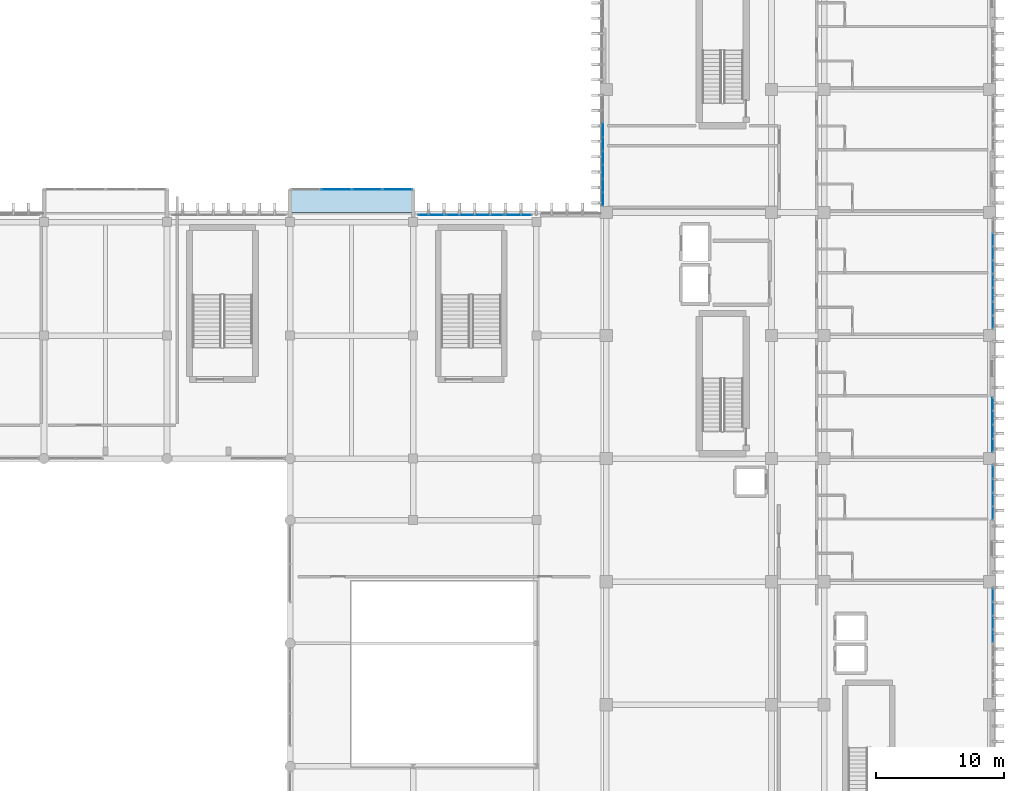
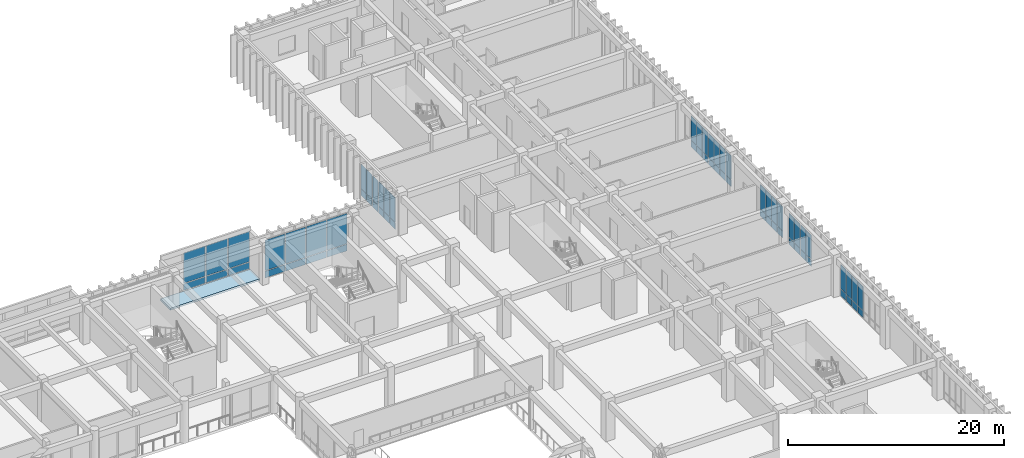
# One storey, part 96 of 133: 64 plates, 1 slab, 9 elements without a shape of their own.
"""IFC4 building model written with IfcOpenShell, lengths in metres."""

from ifc_helpers import new_model, si_unit, direction, frame, origin, origin_2d, place, context, subcontext, project, spatial, polyline, rectangle, outline, extrude, material, layer, layer_set, type_object, element, aggregate, save


model = new_model("IFC4")

# Units and contexts
model_context = context("Model", 3, precision=1e-05, world=origin(), true_north=direction((0.0, 1.0)))
body_context = subcontext(model_context, "Body", "Model", "MODEL_VIEW")
ifc_project = project(units=[si_unit("LENGTHUNIT", "METRE"), si_unit("AREAUNIT", "SQUARE_METRE"), si_unit("VOLUMEUNIT", "CUBIC_METRE"), si_unit("PLANEANGLEUNIT", "RADIAN"), si_unit("MASSUNIT", "GRAM", prefix="KILO")], contexts=[model_context])

# Site, building, storey
site_placement = place(None, origin())
site = spatial("IfcSite", under=ifc_project, at=site_placement, CompositionType="ELEMENT")
building_placement = place(site_placement, origin())
building = spatial("IfcBuilding", under=site, at=building_placement, Name="Nakhvara Creek Congress Hotel", CompositionType="ELEMENT")
storey_placement = place(building_placement, frame((0.0, 0.0, 11.39990234375)))
storey = spatial("IfcBuildingStorey", under=building, at=storey_placement, Name="L02", CompositionType="ELEMENT", Elevation=11.39990234375)

# Curtain wall, plates
ifc_material_1 = material(Name="Bronze-anodised aluminium AW-6063-T6 and double-silver low-E glass", Category="aluminium")
ifc_layer_1 = layer(ifc_material_1, 0.199951171875)
ifc_layer_set_1 = layer_set([ifc_layer_1], Name="Bronze-anodised aluminium AW-6063-T6 and double-silver low-E glass")
curtain_wall_type_1 = type_object("IfcCurtainWallType", Name="CW-HTL-UNIT", PredefinedType="USERDEFINED", material=ifc_layer_set_1)
curtain_wall_1_placement = place(storey_placement, origin())
curtain_wall_1 = element("IfcCurtainWall", 1, at=curtain_wall_1_placement, inside=storey, type_object=curtain_wall_type_1, Name="Curtain Wall CW137", ObjectType="UNITISED", PredefinedType="USERDEFINED")
ifc_material_2 = material(Name="Double-silver solar-control low-E insulated glass", Category="glass")
plate_type_1 = type_object("IfcPlateType", Name="PNL-GLZ-120X250", PredefinedType="CURTAIN_PANEL", material=ifc_material_2)
plate_1_placement = place(storey_placement, frame((179.60009765625, 66.155029296875, 0.065185546875), z_axis=(0.0, 0.0, 1.0), x_axis=(0.0, -1.0, 0.0)))
plate_1 = element("IfcPlate", 2, at=plate_1_placement, type_object=plate_type_1, Name="CW137 panel 1.1", PredefinedType="CURTAIN_PANEL", context=body_context, shape_type="SweptSolid", body=[
    extrude(rectangle(XDim=0.97998046875, YDim=0.028076171875, at=origin_2d()), origin(), (0.0, 0.0, 1.0), 0.75244140625),
])
plate_2_placement = place(storey_placement, frame((179.60009765625, 66.155029296875, 0.88232421875), z_axis=(0.0, 0.0, 1.0), x_axis=(0.0, -1.0, 0.0)))
plate_2 = element("IfcPlate", 3, at=plate_2_placement, type_object=plate_type_1, Name="CW137 panel 1.2", PredefinedType="CURTAIN_PANEL", context=body_context, shape_type="SweptSolid", body=[
    extrude(rectangle(XDim=0.97998046875, YDim=0.028076171875, at=origin_2d()), origin(), (0.0, 0.0, 1.0), 2.714599609375),
])
plate_3_placement = place(storey_placement, frame((179.60009765625, 65.09375, 0.065185546875), z_axis=(0.0, 0.0, 1.0), x_axis=(0.0, -1.0, 0.0)))
plate_3 = element("IfcPlate", 4, at=plate_3_placement, type_object=plate_type_1, Name="CW137 panel 2.1", PredefinedType="CURTAIN_PANEL", context=body_context, shape_type="SweptSolid", body=[
    extrude(rectangle(XDim=1.012451171875, YDim=0.028076171875, at=origin_2d()), origin(), (0.0, 0.0, 1.0), 0.75244140625),
])
plate_4_placement = place(storey_placement, frame((179.60009765625, 65.09375, 0.88232421875), z_axis=(0.0, 0.0, 1.0), x_axis=(0.0, -1.0, 0.0)))
plate_4 = element("IfcPlate", 5, at=plate_4_placement, type_object=plate_type_1, Name="CW137 panel 2.2", PredefinedType="CURTAIN_PANEL", context=body_context, shape_type="SweptSolid", body=[
    extrude(rectangle(XDim=1.012451171875, YDim=0.028076171875, at=origin_2d()), origin(), (0.0, 0.0, 1.0), 2.714599609375),
])
plate_5_placement = place(storey_placement, frame((179.60009765625, 64.016357421875, 0.065185546875), z_axis=(0.0, 0.0, 1.0), x_axis=(0.0, -1.0, 0.0)))
plate_5 = element("IfcPlate", 6, at=plate_5_placement, type_object=plate_type_1, Name="CW137 panel 3.1", PredefinedType="CURTAIN_PANEL", context=body_context, shape_type="SweptSolid", body=[
    extrude(rectangle(XDim=1.012451171875, YDim=0.028076171875, at=origin_2d()), origin(), (0.0, 0.0, 1.0), 0.75244140625),
])
plate_6_placement = place(storey_placement, frame((179.60009765625, 64.016357421875, 0.88232421875), z_axis=(0.0, 0.0, 1.0), x_axis=(0.0, -1.0, 0.0)))
plate_6 = element("IfcPlate", 7, at=plate_6_placement, type_object=plate_type_1, Name="CW137 panel 3.2", PredefinedType="CURTAIN_PANEL", context=body_context, shape_type="SweptSolid", body=[
    extrude(rectangle(XDim=1.012451171875, YDim=0.028076171875, at=origin_2d()), origin(), (0.0, 0.0, 1.0), 2.714599609375),
])
plate_7_placement = place(storey_placement, frame((179.60009765625, 62.955078125, 0.065185546875), z_axis=(0.0, 0.0, 1.0), x_axis=(0.0, -1.0, 0.0)))
plate_7 = element("IfcPlate", 8, at=plate_7_placement, type_object=plate_type_1, Name="CW137 panel 4.1", PredefinedType="CURTAIN_PANEL", context=body_context, shape_type="SweptSolid", body=[
    extrude(rectangle(XDim=0.97998046875, YDim=0.028076171875, at=origin_2d()), origin(), (0.0, 0.0, 1.0), 0.75244140625),
])
plate_8_placement = place(storey_placement, frame((179.60009765625, 62.955078125, 0.88232421875), z_axis=(0.0, 0.0, 1.0), x_axis=(0.0, -1.0, 0.0)))
plate_8 = element("IfcPlate", 9, at=plate_8_placement, type_object=plate_type_1, Name="CW137 panel 4.2", PredefinedType="CURTAIN_PANEL", context=body_context, shape_type="SweptSolid", body=[
    extrude(rectangle(XDim=0.97998046875, YDim=0.028076171875, at=origin_2d()), origin(), (0.0, 0.0, 1.0), 2.714599609375),
])
aggregate(curtain_wall_1, [plate_1, plate_2, plate_3, plate_4, plate_5, plate_6, plate_7, plate_8])

curtain_wall_2_placement = place(storey_placement, origin())
curtain_wall_2 = element("IfcCurtainWall", 10, at=curtain_wall_2_placement, inside=storey, type_object=curtain_wall_type_1, Name="Curtain Wall CW138", ObjectType="UNITISED", PredefinedType="USERDEFINED")
plate_9_placement = place(storey_placement, frame((179.60009765625, 75.7548828125, 0.065185546875), z_axis=(0.0, 0.0, 1.0), x_axis=(0.0, -1.0, 0.0)))
plate_9 = element("IfcPlate", 11, at=plate_9_placement, type_object=plate_type_1, Name="CW138 panel 1.1", PredefinedType="CURTAIN_PANEL", context=body_context, shape_type="SweptSolid", body=[
    extrude(rectangle(XDim=0.97998046875, YDim=0.028076171875, at=origin_2d()), origin(), (0.0, 0.0, 1.0), 0.75244140625),
])
plate_10_placement = place(storey_placement, frame((179.60009765625, 75.7548828125, 0.88232421875), z_axis=(0.0, 0.0, 1.0), x_axis=(0.0, -1.0, 0.0)))
plate_10 = element("IfcPlate", 12, at=plate_10_placement, type_object=plate_type_1, Name="CW138 panel 1.2", PredefinedType="CURTAIN_PANEL", context=body_context, shape_type="SweptSolid", body=[
    extrude(rectangle(XDim=0.97998046875, YDim=0.028076171875, at=origin_2d()), origin(), (0.0, 0.0, 1.0), 2.714599609375),
])
plate_11_placement = place(storey_placement, frame((179.60009765625, 74.69384765625, 0.065185546875), z_axis=(0.0, 0.0, 1.0), x_axis=(0.0, -1.0, 0.0)))
plate_11 = element("IfcPlate", 13, at=plate_11_placement, type_object=plate_type_1, Name="CW138 panel 2.1", PredefinedType="CURTAIN_PANEL", context=body_context, shape_type="SweptSolid", body=[
    extrude(rectangle(XDim=1.012451171875, YDim=0.028076171875, at=origin_2d()), origin(), (0.0, 0.0, 1.0), 0.75244140625),
])
plate_12_placement = place(storey_placement, frame((179.60009765625, 74.69384765625, 0.88232421875), z_axis=(0.0, 0.0, 1.0), x_axis=(0.0, -1.0, 0.0)))
plate_12 = element("IfcPlate", 14, at=plate_12_placement, type_object=plate_type_1, Name="CW138 panel 2.2", PredefinedType="CURTAIN_PANEL", context=body_context, shape_type="SweptSolid", body=[
    extrude(rectangle(XDim=1.012451171875, YDim=0.028076171875, at=origin_2d()), origin(), (0.0, 0.0, 1.0), 2.714599609375),
])
plate_13_placement = place(storey_placement, frame((179.60009765625, 73.6162109375, 0.065185546875), z_axis=(0.0, 0.0, 1.0), x_axis=(0.0, -1.0, 0.0)))
plate_13 = element("IfcPlate", 15, at=plate_13_placement, type_object=plate_type_1, Name="CW138 panel 3.1", PredefinedType="CURTAIN_PANEL", context=body_context, shape_type="SweptSolid", body=[
    extrude(rectangle(XDim=1.012451171875, YDim=0.028076171875, at=origin_2d()), origin(), (0.0, 0.0, 1.0), 0.75244140625),
])
plate_14_placement = place(storey_placement, frame((179.60009765625, 73.6162109375, 0.88232421875), z_axis=(0.0, 0.0, 1.0), x_axis=(0.0, -1.0, 0.0)))
plate_14 = element("IfcPlate", 16, at=plate_14_placement, type_object=plate_type_1, Name="CW138 panel 3.2", PredefinedType="CURTAIN_PANEL", context=body_context, shape_type="SweptSolid", body=[
    extrude(rectangle(XDim=1.012451171875, YDim=0.028076171875, at=origin_2d()), origin(), (0.0, 0.0, 1.0), 2.714599609375),
])
plate_15_placement = place(storey_placement, frame((179.60009765625, 72.554931640625, 0.065185546875), z_axis=(0.0, 0.0, 1.0), x_axis=(0.0, -1.0, 0.0)))
plate_15 = element("IfcPlate", 17, at=plate_15_placement, type_object=plate_type_1, Name="CW138 panel 4.1", PredefinedType="CURTAIN_PANEL", context=body_context, shape_type="SweptSolid", body=[
    extrude(rectangle(XDim=0.97998046875, YDim=0.028076171875, at=origin_2d()), origin(), (0.0, 0.0, 1.0), 0.75244140625),
])
plate_16_placement = place(storey_placement, frame((179.60009765625, 72.554931640625, 0.88232421875), z_axis=(0.0, 0.0, 1.0), x_axis=(0.0, -1.0, 0.0)))
plate_16 = element("IfcPlate", 18, at=plate_16_placement, type_object=plate_type_1, Name="CW138 panel 4.2", PredefinedType="CURTAIN_PANEL", context=body_context, shape_type="SweptSolid", body=[
    extrude(rectangle(XDim=0.97998046875, YDim=0.028076171875, at=origin_2d()), origin(), (0.0, 0.0, 1.0), 2.714599609375),
])
aggregate(curtain_wall_2, [plate_9, plate_10, plate_11, plate_12, plate_13, plate_14, plate_15, plate_16])

curtain_wall_3_placement = place(storey_placement, origin())
curtain_wall_3 = element("IfcCurtainWall", 19, at=curtain_wall_3_placement, inside=storey, type_object=curtain_wall_type_1, Name="Curtain Wall CW140", ObjectType="UNITISED", PredefinedType="USERDEFINED")
plate_17_placement = place(storey_placement, frame((179.60009765625, 90.64501953125, 0.065185546875), z_axis=(0.0, 0.0, 1.0), x_axis=(0.0, -1.0, 0.0)))
plate_17 = element("IfcPlate", 20, at=plate_17_placement, type_object=plate_type_1, Name="CW140 panel 1.1", PredefinedType="CURTAIN_PANEL", context=body_context, shape_type="SweptSolid", body=[
    extrude(rectangle(XDim=0.97998046875, YDim=0.028076171875, at=origin_2d()), origin(), (0.0, 0.0, 1.0), 0.75244140625),
])
plate_18_placement = place(storey_placement, frame((179.60009765625, 90.64501953125, 0.88232421875), z_axis=(0.0, 0.0, 1.0), x_axis=(0.0, -1.0, 0.0)))
plate_18 = element("IfcPlate", 21, at=plate_18_placement, type_object=plate_type_1, Name="CW140 panel 1.2", PredefinedType="CURTAIN_PANEL", context=body_context, shape_type="SweptSolid", body=[
    extrude(rectangle(XDim=0.97998046875, YDim=0.028076171875, at=origin_2d()), origin(), (0.0, 0.0, 1.0), 2.714599609375),
])
plate_19_placement = place(storey_placement, frame((179.60009765625, 89.583740234375, 0.065185546875), z_axis=(0.0, 0.0, 1.0), x_axis=(0.0, -1.0, 0.0)))
plate_19 = element("IfcPlate", 22, at=plate_19_placement, type_object=plate_type_1, Name="CW140 panel 2.1", PredefinedType="CURTAIN_PANEL", context=body_context, shape_type="SweptSolid", body=[
    extrude(rectangle(XDim=1.012451171875, YDim=0.028076171875, at=origin_2d()), origin(), (0.0, 0.0, 1.0), 0.75244140625),
])
plate_20_placement = place(storey_placement, frame((179.60009765625, 89.583740234375, 0.88232421875), z_axis=(0.0, 0.0, 1.0), x_axis=(0.0, -1.0, 0.0)))
plate_20 = element("IfcPlate", 23, at=plate_20_placement, type_object=plate_type_1, Name="CW140 panel 2.2", PredefinedType="CURTAIN_PANEL", context=body_context, shape_type="SweptSolid", body=[
    extrude(rectangle(XDim=1.012451171875, YDim=0.028076171875, at=origin_2d()), origin(), (0.0, 0.0, 1.0), 2.714599609375),
])
plate_21_placement = place(storey_placement, frame((179.60009765625, 88.50634765625, 0.065185546875), z_axis=(0.0, 0.0, 1.0), x_axis=(0.0, -1.0, 0.0)))
plate_21 = element("IfcPlate", 24, at=plate_21_placement, type_object=plate_type_1, Name="CW140 panel 3.1", PredefinedType="CURTAIN_PANEL", context=body_context, shape_type="SweptSolid", body=[
    extrude(rectangle(XDim=1.012451171875, YDim=0.028076171875, at=origin_2d()), origin(), (0.0, 0.0, 1.0), 0.75244140625),
])
plate_22_placement = place(storey_placement, frame((179.60009765625, 88.50634765625, 0.88232421875), z_axis=(0.0, 0.0, 1.0), x_axis=(0.0, -1.0, 0.0)))
plate_22 = element("IfcPlate", 25, at=plate_22_placement, type_object=plate_type_1, Name="CW140 panel 3.2", PredefinedType="CURTAIN_PANEL", context=body_context, shape_type="SweptSolid", body=[
    extrude(rectangle(XDim=1.012451171875, YDim=0.028076171875, at=origin_2d()), origin(), (0.0, 0.0, 1.0), 2.714599609375),
])
plate_23_placement = place(storey_placement, frame((179.60009765625, 87.445068359375, 0.065185546875), z_axis=(0.0, 0.0, 1.0), x_axis=(0.0, -1.0, 0.0)))
plate_23 = element("IfcPlate", 26, at=plate_23_placement, type_object=plate_type_1, Name="CW140 panel 4.1", PredefinedType="CURTAIN_PANEL", context=body_context, shape_type="SweptSolid", body=[
    extrude(rectangle(XDim=0.97998046875, YDim=0.028076171875, at=origin_2d()), origin(), (0.0, 0.0, 1.0), 0.75244140625),
])
plate_24_placement = place(storey_placement, frame((179.60009765625, 87.445068359375, 0.88232421875), z_axis=(0.0, 0.0, 1.0), x_axis=(0.0, -1.0, 0.0)))
plate_24 = element("IfcPlate", 27, at=plate_24_placement, type_object=plate_type_1, Name="CW140 panel 4.2", PredefinedType="CURTAIN_PANEL", context=body_context, shape_type="SweptSolid", body=[
    extrude(rectangle(XDim=0.97998046875, YDim=0.028076171875, at=origin_2d()), origin(), (0.0, 0.0, 1.0), 2.714599609375),
])
aggregate(curtain_wall_3, [plate_17, plate_18, plate_19, plate_20, plate_21, plate_22, plate_23, plate_24])

curtain_wall_4_placement = place(storey_placement, origin())
curtain_wall_4 = element("IfcCurtainWall", 28, at=curtain_wall_4_placement, inside=storey, type_object=curtain_wall_type_1, Name="Curtain Wall CW141", ObjectType="UNITISED", PredefinedType="USERDEFINED")
plate_25_placement = place(storey_placement, frame((179.60009765625, 93.893798828125, 0.065185546875), z_axis=(0.0, 0.0, 1.0), x_axis=(0.0, -1.0, 0.0)))
plate_25 = element("IfcPlate", 29, at=plate_25_placement, type_object=plate_type_1, Name="CW141 panel 2.1", PredefinedType="CURTAIN_PANEL", context=body_context, shape_type="SweptSolid", body=[
    extrude(rectangle(XDim=1.012451171875, YDim=0.028076171875, at=origin_2d()), origin(), (0.0, 0.0, 1.0), 0.75244140625),
])
plate_26_placement = place(storey_placement, frame((179.60009765625, 93.893798828125, 0.88232421875), z_axis=(0.0, 0.0, 1.0), x_axis=(0.0, -1.0, 0.0)))
plate_26 = element("IfcPlate", 30, at=plate_26_placement, type_object=plate_type_1, Name="CW141 panel 2.2", PredefinedType="CURTAIN_PANEL", context=body_context, shape_type="SweptSolid", body=[
    extrude(rectangle(XDim=1.012451171875, YDim=0.028076171875, at=origin_2d()), origin(), (0.0, 0.0, 1.0), 2.714599609375),
])
plate_27_placement = place(storey_placement, frame((179.60009765625, 92.816162109375, 0.065185546875), z_axis=(0.0, 0.0, 1.0), x_axis=(0.0, -1.0, 0.0)))
plate_27 = element("IfcPlate", 31, at=plate_27_placement, type_object=plate_type_1, Name="CW141 panel 3.1", PredefinedType="CURTAIN_PANEL", context=body_context, shape_type="SweptSolid", body=[
    extrude(rectangle(XDim=1.012451171875, YDim=0.028076171875, at=origin_2d()), origin(), (0.0, 0.0, 1.0), 0.75244140625),
])
plate_28_placement = place(storey_placement, frame((179.60009765625, 92.816162109375, 0.88232421875), z_axis=(0.0, 0.0, 1.0), x_axis=(0.0, -1.0, 0.0)))
plate_28 = element("IfcPlate", 32, at=plate_28_placement, type_object=plate_type_1, Name="CW141 panel 3.2", PredefinedType="CURTAIN_PANEL", context=body_context, shape_type="SweptSolid", body=[
    extrude(rectangle(XDim=1.012451171875, YDim=0.028076171875, at=origin_2d()), origin(), (0.0, 0.0, 1.0), 2.714599609375),
])
plate_29_placement = place(storey_placement, frame((179.60009765625, 91.7548828125, 0.065185546875), z_axis=(0.0, 0.0, 1.0), x_axis=(0.0, -1.0, 0.0)))
plate_29 = element("IfcPlate", 33, at=plate_29_placement, type_object=plate_type_1, Name="CW141 panel 4.1", PredefinedType="CURTAIN_PANEL", context=body_context, shape_type="SweptSolid", body=[
    extrude(rectangle(XDim=0.97998046875, YDim=0.028076171875, at=origin_2d()), origin(), (0.0, 0.0, 1.0), 0.75244140625),
])
plate_30_placement = place(storey_placement, frame((179.60009765625, 91.7548828125, 0.88232421875), z_axis=(0.0, 0.0, 1.0), x_axis=(0.0, -1.0, 0.0)))
plate_30 = element("IfcPlate", 34, at=plate_30_placement, type_object=plate_type_1, Name="CW141 panel 4.2", PredefinedType="CURTAIN_PANEL", context=body_context, shape_type="SweptSolid", body=[
    extrude(rectangle(XDim=0.97998046875, YDim=0.028076171875, at=origin_2d()), origin(), (0.0, 0.0, 1.0), 2.714599609375),
])
aggregate(curtain_wall_4, [plate_25, plate_26, plate_27, plate_28, plate_29, plate_30])

curtain_wall_5_placement = place(storey_placement, origin())
curtain_wall_5 = element("IfcCurtainWall", 35, at=curtain_wall_5_placement, inside=storey, type_object=curtain_wall_type_1, Name="Curtain Wall CW142", ObjectType="UNITISED", PredefinedType="USERDEFINED")
plate_31_placement = place(storey_placement, frame((149.199951171875, 97.044921875, 0.065185546875), z_axis=(0.0, 0.0, 1.0), x_axis=(0.0, 1.0, 0.0)))
plate_31 = element("IfcPlate", 36, at=plate_31_placement, type_object=plate_type_1, Name="CW142 panel 1.1", PredefinedType="CURTAIN_PANEL", context=body_context, shape_type="SweptSolid", body=[
    extrude(rectangle(XDim=0.97998046875, YDim=0.028076171875, at=origin_2d()), origin(), (0.0, 0.0, 1.0), 0.75244140625),
])
plate_32_placement = place(storey_placement, frame((149.199951171875, 97.044921875, 0.8828125), z_axis=(0.0, 0.0, 1.0), x_axis=(0.0, 1.0, 0.0)))
plate_32 = element("IfcPlate", 37, at=plate_32_placement, type_object=plate_type_1, Name="CW142 panel 1.2", PredefinedType="CURTAIN_PANEL", context=body_context, shape_type="SweptSolid", body=[
    extrude(rectangle(XDim=0.97998046875, YDim=0.028076171875, at=origin_2d()), origin(), (0.0, 0.0, 1.0), 2.744384765625),
])
plate_33_placement = place(storey_placement, frame((149.199951171875, 98.106201171875, 0.065185546875), z_axis=(0.0, 0.0, 1.0), x_axis=(0.0, 1.0, 0.0)))
plate_33 = element("IfcPlate", 38, at=plate_33_placement, type_object=plate_type_1, Name="CW142 panel 2.1", PredefinedType="CURTAIN_PANEL", context=body_context, shape_type="SweptSolid", body=[
    extrude(rectangle(XDim=1.012451171875, YDim=0.028076171875, at=origin_2d()), origin(), (0.0, 0.0, 1.0), 0.75244140625),
])
plate_34_placement = place(storey_placement, frame((149.199951171875, 98.106201171875, 0.8828125), z_axis=(0.0, 0.0, 1.0), x_axis=(0.0, 1.0, 0.0)))
plate_34 = element("IfcPlate", 39, at=plate_34_placement, type_object=plate_type_1, Name="CW142 panel 2.2", PredefinedType="CURTAIN_PANEL", context=body_context, shape_type="SweptSolid", body=[
    extrude(rectangle(XDim=1.012451171875, YDim=0.028076171875, at=origin_2d()), origin(), (0.0, 0.0, 1.0), 2.744384765625),
])
plate_35_placement = place(storey_placement, frame((149.199951171875, 99.183837890625, 0.065185546875), z_axis=(0.0, 0.0, 1.0), x_axis=(0.0, 1.0, 0.0)))
plate_35 = element("IfcPlate", 40, at=plate_35_placement, type_object=plate_type_1, Name="CW142 panel 3.1", PredefinedType="CURTAIN_PANEL", context=body_context, shape_type="SweptSolid", body=[
    extrude(rectangle(XDim=1.012451171875, YDim=0.028076171875, at=origin_2d()), origin(), (0.0, 0.0, 1.0), 0.75244140625),
])
plate_36_placement = place(storey_placement, frame((149.199951171875, 99.183837890625, 0.8828125), z_axis=(0.0, 0.0, 1.0), x_axis=(0.0, 1.0, 0.0)))
plate_36 = element("IfcPlate", 41, at=plate_36_placement, type_object=plate_type_1, Name="CW142 panel 3.2", PredefinedType="CURTAIN_PANEL", context=body_context, shape_type="SweptSolid", body=[
    extrude(rectangle(XDim=1.012451171875, YDim=0.028076171875, at=origin_2d()), origin(), (0.0, 0.0, 1.0), 2.744384765625),
])
plate_37_placement = place(storey_placement, frame((149.199951171875, 100.2451171875, 0.065185546875), z_axis=(0.0, 0.0, 1.0), x_axis=(0.0, 1.0, 0.0)))
plate_37 = element("IfcPlate", 42, at=plate_37_placement, type_object=plate_type_1, Name="CW142 panel 4.1", PredefinedType="CURTAIN_PANEL", context=body_context, shape_type="SweptSolid", body=[
    extrude(rectangle(XDim=0.97998046875, YDim=0.028076171875, at=origin_2d()), origin(), (0.0, 0.0, 1.0), 0.75244140625),
])
plate_38_placement = place(storey_placement, frame((149.199951171875, 100.2451171875, 0.8828125), z_axis=(0.0, 0.0, 1.0), x_axis=(0.0, 1.0, 0.0)))
plate_38 = element("IfcPlate", 43, at=plate_38_placement, type_object=plate_type_1, Name="CW142 panel 4.2", PredefinedType="CURTAIN_PANEL", context=body_context, shape_type="SweptSolid", body=[
    extrude(rectangle(XDim=0.97998046875, YDim=0.028076171875, at=origin_2d()), origin(), (0.0, 0.0, 1.0), 2.744384765625),
])
aggregate(curtain_wall_5, [plate_31, plate_32, plate_33, plate_34, plate_35, plate_36, plate_37, plate_38])

curtain_wall_6_placement = place(storey_placement, origin())
curtain_wall_6 = element("IfcCurtainWall", 44, at=curtain_wall_6_placement, inside=storey, type_object=curtain_wall_type_1, Name="Curtain Wall CW144", ObjectType="UNITISED", PredefinedType="USERDEFINED")
plate_39_placement = place(storey_placement, frame((149.199951171875, 101.35498046875, 0.065185546875), z_axis=(0.0, 0.0, 1.0), x_axis=(0.0, 1.0, 0.0)))
plate_39 = element("IfcPlate", 45, at=plate_39_placement, type_object=plate_type_1, Name="CW144 panel 1.1", PredefinedType="CURTAIN_PANEL", context=body_context, shape_type="SweptSolid", body=[
    extrude(rectangle(XDim=0.97998046875, YDim=0.028076171875, at=origin_2d()), origin(), (0.0, 0.0, 1.0), 0.75244140625),
])
plate_40_placement = place(storey_placement, frame((149.199951171875, 101.35498046875, 0.8828125), z_axis=(0.0, 0.0, 1.0), x_axis=(0.0, 1.0, 0.0)))
plate_40 = element("IfcPlate", 46, at=plate_40_placement, type_object=plate_type_1, Name="CW144 panel 1.2", PredefinedType="CURTAIN_PANEL", context=body_context, shape_type="SweptSolid", body=[
    extrude(rectangle(XDim=0.97998046875, YDim=0.028076171875, at=origin_2d()), origin(), (0.0, 0.0, 1.0), 2.744384765625),
])
plate_41_placement = place(storey_placement, frame((149.199951171875, 102.416259765625, 0.065185546875), z_axis=(0.0, 0.0, 1.0), x_axis=(0.0, 1.0, 0.0)))
plate_41 = element("IfcPlate", 47, at=plate_41_placement, type_object=plate_type_1, Name="CW144 panel 2.1", PredefinedType="CURTAIN_PANEL", context=body_context, shape_type="SweptSolid", body=[
    extrude(rectangle(XDim=1.012451171875, YDim=0.028076171875, at=origin_2d()), origin(), (0.0, 0.0, 1.0), 0.75244140625),
])
plate_42_placement = place(storey_placement, frame((149.199951171875, 102.416259765625, 0.8828125), z_axis=(0.0, 0.0, 1.0), x_axis=(0.0, 1.0, 0.0)))
plate_42 = element("IfcPlate", 48, at=plate_42_placement, type_object=plate_type_1, Name="CW144 panel 2.2", PredefinedType="CURTAIN_PANEL", context=body_context, shape_type="SweptSolid", body=[
    extrude(rectangle(XDim=1.012451171875, YDim=0.028076171875, at=origin_2d()), origin(), (0.0, 0.0, 1.0), 2.744384765625),
])
aggregate(curtain_wall_6, [plate_39, plate_40, plate_41, plate_42])

ifc_layer_2 = layer(ifc_material_1, 0.219970703125)
ifc_layer_set_2 = layer_set([ifc_layer_2], Name="Bronze-anodised aluminium AW-6063-T6 and double-silver low-E glass")
curtain_wall_type_2 = type_object("IfcCurtainWallType", Name="CW-BOX-PROJ", PredefinedType="USERDEFINED", material=ifc_layer_set_2)
curtain_wall_7_placement = place(storey_placement, origin())
curtain_wall_7 = element("IfcCurtainWall", 49, at=curtain_wall_7_placement, inside=storey, type_object=curtain_wall_type_2, Name="Curtain Wall CW083", ObjectType="UNITISED", PredefinedType="USERDEFINED")
plate_type_2 = type_object("IfcPlateType", Name="PNL-GLZ-240X260", PredefinedType="CURTAIN_PANEL", material=ifc_material_2)
plate_43_placement = place(storey_placement, frame((128.39990234375, 97.800048828125, 0.0751953125), z_axis=(0.0, 0.0, 1.0), x_axis=(1.0, 0.0, 0.0)))
plate_43 = element("IfcPlate", 50, at=plate_43_placement, type_object=plate_type_2, Name="CW083 panel 2.1", PredefinedType="CURTAIN_PANEL", context=body_context, shape_type="SweptSolid", body=[
    extrude(rectangle(XDim=2.320068359375, YDim=0.030029296875, at=origin_2d()), origin(), (0.0, 0.0, 1.0), 0.737548828125),
])
plate_44_placement = place(storey_placement, frame((128.39990234375, 97.800048828125, 0.8876953125), z_axis=(0.0, 0.0, 1.0), x_axis=(1.0, 0.0, 0.0)))
plate_44 = element("IfcPlate", 51, at=plate_44_placement, type_object=plate_type_2, Name="CW083 panel 2.2", PredefinedType="CURTAIN_PANEL", context=body_context, shape_type="SweptSolid", body=[
    extrude(rectangle(XDim=2.320068359375, YDim=0.030029296875, at=origin_2d()), origin(), (0.0, 0.0, 1.0), 3.427490234375),
])
plate_45_placement = place(storey_placement, frame((130.800048828125, 97.800048828125, 0.0751953125), z_axis=(0.0, 0.0, 1.0), x_axis=(1.0, 0.0, 0.0)))
plate_45 = element("IfcPlate", 52, at=plate_45_placement, type_object=plate_type_2, Name="CW083 panel 3.1", PredefinedType="CURTAIN_PANEL", context=body_context, shape_type="SweptSolid", body=[
    extrude(rectangle(XDim=2.320068359375, YDim=0.030029296875, at=origin_2d()), origin(), (0.0, 0.0, 1.0), 0.737548828125),
])
plate_46_placement = place(storey_placement, frame((130.800048828125, 97.800048828125, 0.8876953125), z_axis=(0.0, 0.0, 1.0), x_axis=(1.0, 0.0, 0.0)))
plate_46 = element("IfcPlate", 53, at=plate_46_placement, type_object=plate_type_2, Name="CW083 panel 3.2", PredefinedType="CURTAIN_PANEL", context=body_context, shape_type="SweptSolid", body=[
    extrude(rectangle(XDim=2.320068359375, YDim=0.030029296875, at=origin_2d()), origin(), (0.0, 0.0, 1.0), 3.427490234375),
])
plate_47_placement = place(storey_placement, frame((133.179931640625, 97.800048828125, 0.0751953125), z_axis=(0.0, 0.0, 1.0), x_axis=(1.0, 0.0, 0.0)))
plate_47 = element("IfcPlate", 54, at=plate_47_placement, type_object=plate_type_2, Name="CW083 panel 4.1", PredefinedType="CURTAIN_PANEL", context=body_context, shape_type="SweptSolid", body=[
    extrude(rectangle(XDim=2.280029296875, YDim=0.030029296875, at=origin_2d()), origin(), (0.0, 0.0, 1.0), 0.737548828125),
])
plate_48_placement = place(storey_placement, frame((133.179931640625, 97.800048828125, 0.8876953125), z_axis=(0.0, 0.0, 1.0), x_axis=(1.0, 0.0, 0.0)))
plate_48 = element("IfcPlate", 55, at=plate_48_placement, type_object=plate_type_2, Name="CW083 panel 4.2", PredefinedType="CURTAIN_PANEL", context=body_context, shape_type="SweptSolid", body=[
    extrude(rectangle(XDim=2.280029296875, YDim=0.030029296875, at=origin_2d()), origin(), (0.0, 0.0, 1.0), 3.427490234375),
])
aggregate(curtain_wall_7, [plate_43, plate_44, plate_45, plate_46, plate_47, plate_48])

ifc_layer_3 = layer(ifc_material_1, 0.199951171875)
ifc_layer_set_3 = layer_set([ifc_layer_3], Name="Bronze-anodised aluminium AW-6063-T6 and double-silver low-E glass")
curtain_wall_type_3 = type_object("IfcCurtainWallType", Name="CW-POD-STICK", PredefinedType="NOTDEFINED", material=ifc_layer_set_3)
curtain_wall_8_placement = place(storey_placement, origin())
curtain_wall_8 = element("IfcCurtainWall", 56, at=curtain_wall_8_placement, inside=storey, type_object=curtain_wall_type_3, Name="Curtain Wall CW088", PredefinedType="NOTDEFINED")
plate_49_placement = place(storey_placement, frame((135.889892578125, 95.800048828125, 0.065185546875), z_axis=(0.0, 0.0, 1.0), x_axis=(1.0, 0.0, 0.0)))
plate_49 = element("IfcPlate", 57, at=plate_49_placement, type_object=plate_type_2, Name="CW088 panel 1.1", PredefinedType="CURTAIN_PANEL", context=body_context, shape_type="SweptSolid", body=[
    extrude(rectangle(XDim=2.1201171875, YDim=0.030029296875, at=origin_2d()), origin(), (0.0, 0.0, 1.0), 0.75244140625),
])
plate_50_placement = place(storey_placement, frame((135.889892578125, 95.800048828125, 0.882568359375), z_axis=(0.0, 0.0, 1.0), x_axis=(1.0, 0.0, 0.0)))
plate_50 = element("IfcPlate", 58, at=plate_50_placement, type_object=plate_type_2, Name="CW088 panel 1.2", PredefinedType="CURTAIN_PANEL", context=body_context, shape_type="SweptSolid", body=[
    extrude(rectangle(XDim=2.1201171875, YDim=0.030029296875, at=origin_2d()), origin(), (0.0, 0.0, 1.0), 3.4423828125),
])
plate_51_placement = place(storey_placement, frame((138.09130859375, 95.800048828125, 0.065185546875), z_axis=(0.0, 0.0, 1.0), x_axis=(1.0, 0.0, 0.0)))
plate_51 = element("IfcPlate", 59, at=plate_51_placement, type_object=plate_type_2, Name="CW088 panel 2.1", PredefinedType="CURTAIN_PANEL", context=body_context, shape_type="SweptSolid", body=[
    extrude(rectangle(XDim=2.152587890625, YDim=0.030029296875, at=origin_2d()), origin(), (0.0, 0.0, 1.0), 0.75244140625),
])
plate_52_placement = place(storey_placement, frame((138.09130859375, 95.800048828125, 0.882568359375), z_axis=(0.0, 0.0, 1.0), x_axis=(1.0, 0.0, 0.0)))
plate_52 = element("IfcPlate", 60, at=plate_52_placement, type_object=plate_type_2, Name="CW088 panel 2.2", PredefinedType="CURTAIN_PANEL", context=body_context, shape_type="SweptSolid", body=[
    extrude(rectangle(XDim=2.152587890625, YDim=0.030029296875, at=origin_2d()), origin(), (0.0, 0.0, 1.0), 3.4423828125),
])
plate_53_placement = place(storey_placement, frame((140.308837890625, 95.800048828125, 0.065185546875), z_axis=(0.0, 0.0, 1.0), x_axis=(1.0, 0.0, 0.0)))
plate_53 = element("IfcPlate", 61, at=plate_53_placement, type_object=plate_type_2, Name="CW088 panel 3.1", PredefinedType="CURTAIN_PANEL", context=body_context, shape_type="SweptSolid", body=[
    extrude(rectangle(XDim=2.152587890625, YDim=0.030029296875, at=origin_2d()), origin(), (0.0, 0.0, 1.0), 0.75244140625),
])
plate_54_placement = place(storey_placement, frame((140.308837890625, 95.800048828125, 0.882568359375), z_axis=(0.0, 0.0, 1.0), x_axis=(1.0, 0.0, 0.0)))
plate_54 = element("IfcPlate", 62, at=plate_54_placement, type_object=plate_type_2, Name="CW088 panel 3.2", PredefinedType="CURTAIN_PANEL", context=body_context, shape_type="SweptSolid", body=[
    extrude(rectangle(XDim=2.152587890625, YDim=0.030029296875, at=origin_2d()), origin(), (0.0, 0.0, 1.0), 3.4423828125),
])
plate_55_placement = place(storey_placement, frame((142.510009765625, 95.800048828125, 0.065185546875), z_axis=(0.0, 0.0, 1.0), x_axis=(1.0, 0.0, 0.0)))
plate_55 = element("IfcPlate", 63, at=plate_55_placement, type_object=plate_type_2, Name="CW088 panel 4.1", PredefinedType="CURTAIN_PANEL", context=body_context, shape_type="SweptSolid", body=[
    extrude(rectangle(XDim=2.1201171875, YDim=0.030029296875, at=origin_2d()), origin(), (0.0, 0.0, 1.0), 0.75244140625),
])
plate_56_placement = place(storey_placement, frame((142.510009765625, 95.800048828125, 0.882568359375), z_axis=(0.0, 0.0, 1.0), x_axis=(1.0, 0.0, 0.0)))
plate_56 = element("IfcPlate", 64, at=plate_56_placement, type_object=plate_type_2, Name="CW088 panel 4.2", PredefinedType="CURTAIN_PANEL", context=body_context, shape_type="SweptSolid", body=[
    extrude(rectangle(XDim=2.1201171875, YDim=0.030029296875, at=origin_2d()), origin(), (0.0, 0.0, 1.0), 3.4423828125),
])
aggregate(curtain_wall_8, [plate_49, plate_50, plate_51, plate_52, plate_53, plate_54, plate_55, plate_56])

curtain_wall_9_placement = place(storey_placement, origin())
curtain_wall_9 = element("IfcCurtainWall", 65, at=curtain_wall_9_placement, inside=storey, type_object=curtain_wall_type_1, Name="Curtain Wall CW139", ObjectType="UNITISED", PredefinedType="USERDEFINED")
ifc_material_3 = material(Name="Back-insulated bronze spandrel glass panel", Category="glass")
plate_type_3 = type_object("IfcPlateType", Name="PNL-SPN-120X080", PredefinedType="CURTAIN_PANEL", material=ifc_material_3)
plate_57_placement = place(storey_placement, frame((179.60009765625, 81.044921875, 0.065185546875), z_axis=(0.0, 0.0, 1.0), x_axis=(0.0, -1.0, 0.0)))
plate_57 = element("IfcPlate", 66, at=plate_57_placement, type_object=plate_type_3, Name="CW139 panel 1.1", PredefinedType="CURTAIN_PANEL", context=body_context, shape_type="SweptSolid", body=[
    extrude(rectangle(XDim=0.97998046875, YDim=0.0419921875, at=origin_2d()), origin(), (0.0, 0.0, 1.0), 0.75244140625),
])
plate_58_placement = place(storey_placement, frame((179.60009765625, 81.044921875, 0.88232421875), z_axis=(0.0, 0.0, 1.0), x_axis=(0.0, -1.0, 0.0)))
plate_58 = element("IfcPlate", 67, at=plate_58_placement, type_object=plate_type_3, Name="CW139 panel 1.2", PredefinedType="CURTAIN_PANEL", context=body_context, shape_type="SweptSolid", body=[
    extrude(rectangle(XDim=0.97998046875, YDim=0.0419921875, at=origin_2d()), origin(), (0.0, 0.0, 1.0), 2.714599609375),
])
plate_59_placement = place(storey_placement, frame((179.60009765625, 79.983642578125, 0.065185546875), z_axis=(0.0, 0.0, 1.0), x_axis=(0.0, -1.0, 0.0)))
plate_59 = element("IfcPlate", 68, at=plate_59_placement, type_object=plate_type_3, Name="CW139 panel 2.1", PredefinedType="CURTAIN_PANEL", context=body_context, shape_type="SweptSolid", body=[
    extrude(rectangle(XDim=1.012451171875, YDim=0.0419921875, at=origin_2d()), origin(), (0.0, 0.0, 1.0), 0.75244140625),
])
plate_60_placement = place(storey_placement, frame((179.60009765625, 79.983642578125, 0.88232421875), z_axis=(0.0, 0.0, 1.0), x_axis=(0.0, -1.0, 0.0)))
plate_60 = element("IfcPlate", 69, at=plate_60_placement, type_object=plate_type_3, Name="CW139 panel 2.2", PredefinedType="CURTAIN_PANEL", context=body_context, shape_type="SweptSolid", body=[
    extrude(rectangle(XDim=1.012451171875, YDim=0.0419921875, at=origin_2d()), origin(), (0.0, 0.0, 1.0), 2.714599609375),
])
plate_61_placement = place(storey_placement, frame((179.60009765625, 78.90625, 0.065185546875), z_axis=(0.0, 0.0, 1.0), x_axis=(0.0, -1.0, 0.0)))
plate_61 = element("IfcPlate", 70, at=plate_61_placement, type_object=plate_type_3, Name="CW139 panel 3.1", PredefinedType="CURTAIN_PANEL", context=body_context, shape_type="SweptSolid", body=[
    extrude(rectangle(XDim=1.012451171875, YDim=0.0419921875, at=origin_2d()), origin(), (0.0, 0.0, 1.0), 0.75244140625),
])
plate_62_placement = place(storey_placement, frame((179.60009765625, 78.90625, 0.88232421875), z_axis=(0.0, 0.0, 1.0), x_axis=(0.0, -1.0, 0.0)))
plate_62 = element("IfcPlate", 71, at=plate_62_placement, type_object=plate_type_3, Name="CW139 panel 3.2", PredefinedType="CURTAIN_PANEL", context=body_context, shape_type="SweptSolid", body=[
    extrude(rectangle(XDim=1.012451171875, YDim=0.0419921875, at=origin_2d()), origin(), (0.0, 0.0, 1.0), 2.714599609375),
])
plate_63_placement = place(storey_placement, frame((179.60009765625, 77.844970703125, 0.065185546875), z_axis=(0.0, 0.0, 1.0), x_axis=(0.0, -1.0, 0.0)))
plate_63 = element("IfcPlate", 72, at=plate_63_placement, type_object=plate_type_3, Name="CW139 panel 4.1", PredefinedType="CURTAIN_PANEL", context=body_context, shape_type="SweptSolid", body=[
    extrude(rectangle(XDim=0.97998046875, YDim=0.0419921875, at=origin_2d()), origin(), (0.0, 0.0, 1.0), 0.75244140625),
])
plate_64_placement = place(storey_placement, frame((179.60009765625, 77.844970703125, 0.88232421875), z_axis=(0.0, 0.0, 1.0), x_axis=(0.0, -1.0, 0.0)))
plate_64 = element("IfcPlate", 73, at=plate_64_placement, type_object=plate_type_3, Name="CW139 panel 4.2", PredefinedType="CURTAIN_PANEL", context=body_context, shape_type="SweptSolid", body=[
    extrude(rectangle(XDim=0.97998046875, YDim=0.0419921875, at=origin_2d()), origin(), (0.0, 0.0, 1.0), 2.714599609375),
])
aggregate(curtain_wall_9, [plate_57, plate_58, plate_59, plate_60, plate_61, plate_62, plate_63, plate_64])

# Slab
ifc_material_4 = material(Name="Concrete C40/50", Category="concrete")
ifc_layer_4 = layer(ifc_material_4, 0.219970703125)
ifc_layer_set_4 = layer_set([ifc_layer_4], Name="Concrete C40/50")
slab_type = type_object("IfcSlabType", Name="SL-FLR-220", PredefinedType="FLOOR", material=ifc_layer_set_4)
slab_placement = place(storey_placement, frame((0.0, 0.0, -0.219970703125)))
element("IfcSlab", 74, at=slab_placement, inside=storey, type_object=slab_type, Name="Structural Slab SLB-PBOX-L02-N3", PredefinedType="FLOOR", context=body_context, shape_type="SweptSolid", body=[
    extrude(outline(polyline([(124.800048828125, 96.0), (134.39990234375, 96.0), (134.39990234375, 97.800048828125), (124.800048828125, 97.800048828125), (124.800048828125, 96.0)])), origin(), (0.0, 0.0, 1.0), 0.219970703125),
])

save(model, "model.ifc")
